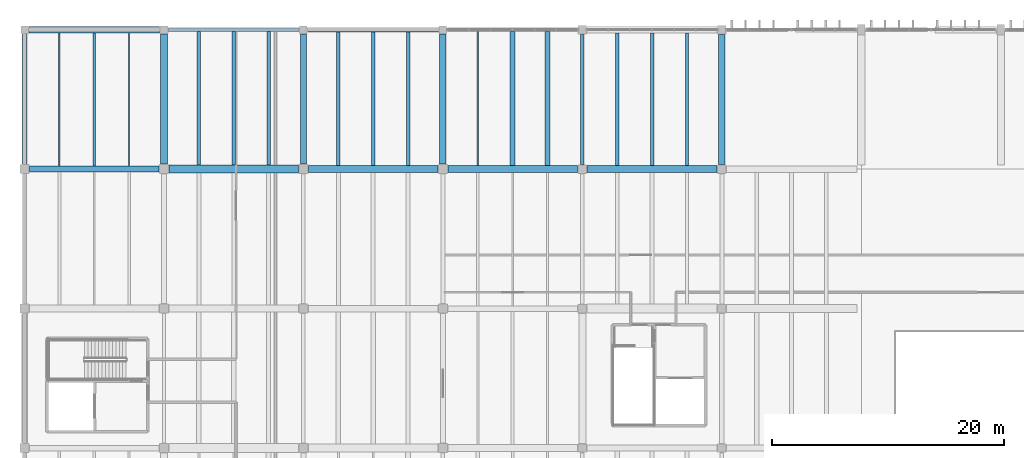
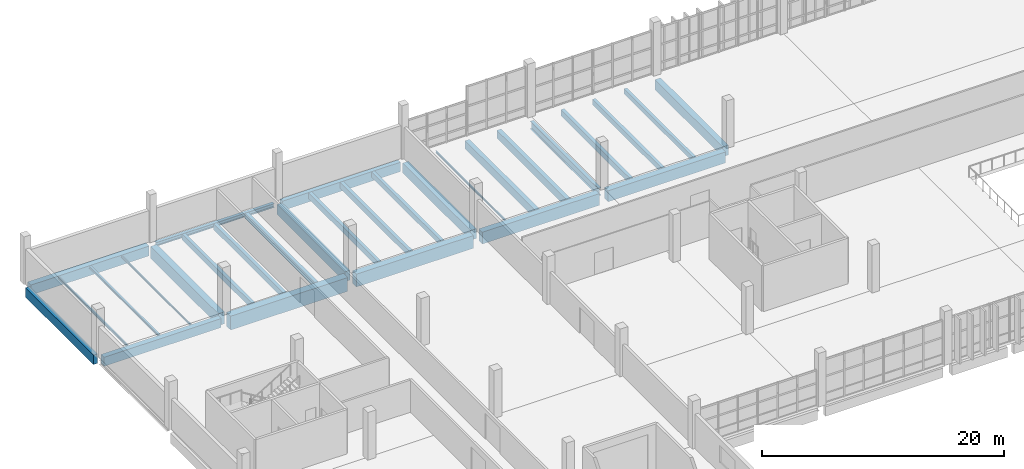
# One storey, part 51 of 112: 29 beams.
"""IFC4 building model written with IfcOpenShell, lengths in metres."""

from ifc_helpers import new_model, si_unit, direction, frame, origin, origin_2d, place, context, subcontext, project, spatial, rectangle, i_section, extrude, material, material_profile, profile_set, type_object, element, save


model = new_model("IFC4")

# Units and contexts
model_context = context("Model", 3, precision=1e-05, world=origin(), true_north=direction((0.0, 1.0)))
body_context = subcontext(model_context, "Body", "Model", "MODEL_VIEW")
ifc_project = project(units=[si_unit("LENGTHUNIT", "METRE"), si_unit("AREAUNIT", "SQUARE_METRE"), si_unit("VOLUMEUNIT", "CUBIC_METRE"), si_unit("PLANEANGLEUNIT", "RADIAN"), si_unit("MASSUNIT", "GRAM", prefix="KILO")], contexts=[model_context])

# Site, building, storey
site_placement = place(None, origin())
site = spatial("IfcSite", under=ifc_project, at=site_placement, CompositionType="ELEMENT")
building_placement = place(site_placement, origin())
building = spatial("IfcBuilding", under=site, at=building_placement, Name="Kamomehara Wholesale Market", CompositionType="ELEMENT")
storey_placement = place(building_placement, frame((0.0, 0.0, 6.60009765625)))
storey = spatial("IfcBuildingStorey", under=building, at=storey_placement, Name="L01", CompositionType="ELEMENT", Elevation=6.60009765625)

# Beams
ifc_material_1 = material(Name="Precast concrete Fc45 (C40/50)", Category="concrete")
ifc_material_profile_1 = material_profile(ifc_material_1, rectangle(XDim=0.5, YDim=1.0, at=origin_2d()), Name="PC-GRD-500x1000")
ifc_profile_set_1 = profile_set([ifc_material_profile_1], Name="Precast concrete Fc45 (C40/50)")
beam_type_1 = type_object("IfcBeamType", Name="BM-PG1000", PredefinedType="T_BEAM", material=ifc_profile_set_1)
beam_1_placement = place(storey_placement, frame((24.0, 144.425048828125, -0.822021484375), z_axis=(0.0, 1.0, 0.0), x_axis=(-1.0, 0.0, 0.0)))
element("IfcBeam", 1, at=beam_1_placement, inside=storey, type_object=beam_type_1, Name="Beam PG-09 L01", PredefinedType="T_BEAM", context=body_context, shape_type="SweptSolid", body=[
    extrude(rectangle(XDim=0.5, YDim=1.0, at=origin_2d()), origin(), (0.0, 0.0, 1.0), 11.199951171875),
])
ifc_material_2 = material(Name="Precast concrete Fc45 (C40/50)", Category="concrete")
ifc_material_profile_2 = material_profile(ifc_material_2, rectangle(XDim=0.60009765625, YDim=1.10009765625, at=origin_2d()), Name="PC-GRD-600x1100")
ifc_profile_set_2 = profile_set([ifc_material_profile_2], Name="Precast concrete Fc45 (C40/50)")
beam_type_2 = type_object("IfcBeamType", Name="BM-PG1100", PredefinedType="T_BEAM", material=ifc_profile_set_2)
beam_2_placement = place(storey_placement, frame((48.409912109375, 144.0, -0.902099609375), z_axis=(1.0, 0.0, 0.0), x_axis=(0.0, 1.0, 0.0)))
element("IfcBeam", 2, at=beam_2_placement, inside=storey, type_object=beam_type_2, Name="Beam PG-07 L01", PredefinedType="T_BEAM", context=body_context, shape_type="SweptSolid", body=[
    extrude(rectangle(XDim=0.60009765625, YDim=1.10009765625, at=origin_2d()), origin(), (0.0, 0.0, 1.0), 11.18017578125),
])
ifc_material_3 = material(Name="Precast concrete Fc45 (C40/50)", Category="concrete")
ifc_material_profile_3 = material_profile(ifc_material_3, rectangle(XDim=0.580078125, YDim=1.179931640625, at=origin_2d()), Name="PC-GRD-580x1180")
ifc_profile_set_3 = profile_set([ifc_material_profile_3], Name="Precast concrete Fc45 (C40/50)")
beam_type_3 = type_object("IfcBeamType", Name="BM-PG1180", PredefinedType="T_BEAM", material=ifc_profile_set_3)
beam_3_placement = place(storey_placement, frame((36.425048828125, 144.0, -0.93212890625), z_axis=(1.0, 0.0, 0.0), x_axis=(0.0, 1.0, 0.0)))
element("IfcBeam", 3, at=beam_3_placement, inside=storey, type_object=beam_type_3, Name="Beam PG-14 L01", PredefinedType="T_BEAM", context=body_context, shape_type="SweptSolid", body=[
    extrude(rectangle(XDim=0.580078125, YDim=1.179931640625, at=origin_2d()), origin(), (0.0, 0.0, 1.0), 11.1650390625),
])
ifc_material_4 = material(Name="Precast concrete Fc45 (C40/50)", Category="concrete")
ifc_material_profile_4 = material_profile(ifc_material_4, rectangle(XDim=0.60009765625, YDim=1.199951171875, at=origin_2d()), Name="PC-GRD-600x1200")
ifc_profile_set_4 = profile_set([ifc_material_profile_4], Name="Precast concrete Fc45 (C40/50)")
beam_type_4 = type_object("IfcBeamType", Name="BM-PG1200", PredefinedType="T_BEAM", material=ifc_profile_set_4)
beam_4_placement = place(storey_placement, frame((12.0, 144.425048828125, -0.922119140625), z_axis=(0.0, 1.0, 0.0), x_axis=(-1.0, 0.0, 0.0)))
element("IfcBeam", 4, at=beam_4_placement, inside=storey, type_object=beam_type_4, Name="Beam PG-05 L01", PredefinedType="T_BEAM", context=body_context, shape_type="SweptSolid", body=[
    extrude(rectangle(XDim=0.60009765625, YDim=1.199951171875, at=origin_2d()), origin(), (0.0, 0.0, 1.0), 11.199951171875),
])
ifc_material_5 = material(Name="Precast concrete Fc45 (C40/50)", Category="concrete")
ifc_material_profile_5 = material_profile(ifc_material_5, rectangle(XDim=0.6201171875, YDim=1.280029296875, at=origin_2d()), Name="PC-GRD-620x1280")
ifc_profile_set_5 = profile_set([ifc_material_profile_5], Name="Precast concrete Fc45 (C40/50)")
beam_type_5 = type_object("IfcBeamType", Name="BM-PG1280", PredefinedType="T_BEAM", material=ifc_profile_set_5)
beam_5_placement = place(storey_placement, frame((24.425048828125, 144.0, -0.9921875), z_axis=(1.0, 0.0, 0.0), x_axis=(0.0, 1.0, 0.0)))
element("IfcBeam", 5, at=beam_5_placement, inside=storey, type_object=beam_type_5, Name="Beam PG-13 L01", PredefinedType="T_BEAM", context=body_context, shape_type="SweptSolid", body=[
    extrude(rectangle(XDim=0.6201171875, YDim=1.280029296875, at=origin_2d()), origin(), (0.0, 0.0, 1.0), 11.14990234375),
])
ifc_material_6 = material(Name="Precast concrete Fc45 (C40/50)", Category="concrete")
ifc_material_profile_6 = material_profile(ifc_material_6, rectangle(XDim=0.699951171875, YDim=1.39990234375, at=origin_2d()), Name="PC-GRD-700x1400")
ifc_profile_set_6 = profile_set([ifc_material_profile_6], Name="Precast concrete Fc45 (C40/50)")
beam_type_6 = type_object("IfcBeamType", Name="BM-PG1400", PredefinedType="T_BEAM", material=ifc_profile_set_6)
beam_6_placement = place(storey_placement, frame((12.425048828125, 144.0, -1.052001953125), z_axis=(1.0, 0.0, 0.0), x_axis=(0.0, 1.0, 0.0)))
element("IfcBeam", 6, at=beam_6_placement, inside=storey, type_object=beam_type_6, Name="Beam PG-02 L01", PredefinedType="T_BEAM", context=body_context, shape_type="SweptSolid", body=[
    extrude(rectangle(XDim=0.699951171875, YDim=1.39990234375, at=origin_2d()), origin(), (0.0, 0.0, 1.0), 11.14990234375),
])
ifc_material_7 = material(Name="Precast concrete Fc45 (C40/50)", Category="concrete")
ifc_material_profile_7 = material_profile(ifc_material_7, rectangle(XDim=0.5, YDim=0.89990234375, at=origin_2d()), Name="PC-GRD-500x900")
ifc_profile_set_7 = profile_set([ifc_material_profile_7], Name="Precast concrete Fc45 (C40/50)")
beam_type_7 = type_object("IfcBeamType", Name="BM-PG900", PredefinedType="T_BEAM", material=ifc_profile_set_7)
beam_7_placement = place(storey_placement, frame((0.425048828125, 144.0, -0.802001953125), z_axis=(1.0, 0.0, 0.0), x_axis=(0.0, 1.0, 0.0)))
element("IfcBeam", 7, at=beam_7_placement, inside=storey, type_object=beam_type_7, Name="Beam PG-10 L01", PredefinedType="T_BEAM", context=body_context, shape_type="SweptSolid", body=[
    extrude(rectangle(XDim=0.5, YDim=0.89990234375, at=origin_2d()), origin(), (0.0, 0.0, 1.0), 11.14990234375),
])
ifc_material_8 = material(Name="Precast concrete Fc45 (C40/50)", Category="concrete")
ifc_material_profile_8 = material_profile(ifc_material_8, rectangle(XDim=0.280029296875, YDim=0.5, at=origin_2d()), Name="PC-JST-280x500")
ifc_profile_set_8 = profile_set([ifc_material_profile_8], Name="Precast concrete Fc45 (C40/50)")
beam_type_8 = type_object("IfcBeamType", Name="BM-PJ500", PredefinedType="JOIST", material=ifc_profile_set_8)
beam_8_placement = place(storey_placement, frame((57.0, 144.300048828125, -0.572021484375), z_axis=(0.0, 1.0, 0.0), x_axis=(-1.0, 0.0, 0.0)))
element("IfcBeam", 8, at=beam_8_placement, inside=storey, type_object=beam_type_8, Name="Beam PJ-11 L01", PredefinedType="JOIST", context=body_context, shape_type="SweptSolid", body=[
    extrude(rectangle(XDim=0.280029296875, YDim=0.5, at=origin_2d()), origin(), (0.0, 0.0, 1.0), 11.425048828125),
])
ifc_material_9 = material(Name="Precast concrete Fc45 (C40/50)", Category="concrete")
ifc_material_profile_9 = material_profile(ifc_material_9, rectangle(XDim=0.300048828125, YDim=0.550048828125, at=origin_2d()), Name="PC-JST-300x550")
ifc_profile_set_9 = profile_set([ifc_material_profile_9], Name="Precast concrete Fc45 (C40/50)")
beam_type_9 = type_object("IfcBeamType", Name="BM-PJ550", PredefinedType="JOIST", material=ifc_profile_set_9)
beam_9_placement = place(storey_placement, frame((21.0, 144.35009765625, -0.59716796875), z_axis=(0.0, 1.0, 0.0), x_axis=(-1.0, 0.0, 0.0)))
element("IfcBeam", 9, at=beam_9_placement, inside=storey, type_object=beam_type_9, Name="Beam PJ-06 L01", PredefinedType="JOIST", context=body_context, shape_type="SweptSolid", body=[
    extrude(rectangle(XDim=0.300048828125, YDim=0.550048828125, at=origin_2d()), origin(), (0.0, 0.0, 1.0), 11.5),
])
beam_10_placement = place(storey_placement, frame((33.0, 144.31005859375, -0.59716796875), z_axis=(0.0, 1.0, 0.0), x_axis=(-1.0, 0.0, 0.0)))
element("IfcBeam", 10, at=beam_10_placement, inside=storey, type_object=beam_type_9, Name="Beam PJ-06 L01", PredefinedType="JOIST", context=body_context, shape_type="SweptSolid", body=[
    extrude(rectangle(XDim=0.300048828125, YDim=0.550048828125, at=origin_2d()), origin(), (0.0, 0.0, 1.0), 11.489990234375),
])
beam_11_placement = place(storey_placement, frame((54.0, 144.300048828125, -0.59716796875), z_axis=(0.0, 1.0, 0.0), x_axis=(-1.0, 0.0, 0.0)))
element("IfcBeam", 11, at=beam_11_placement, inside=storey, type_object=beam_type_9, Name="Beam PJ-06 L01", PredefinedType="JOIST", context=body_context, shape_type="SweptSolid", body=[
    extrude(rectangle(XDim=0.300048828125, YDim=0.550048828125, at=origin_2d()), origin(), (0.0, 0.0, 1.0), 11.425048828125),
])
ifc_material_10 = material(Name="Precast concrete Fc45 (C40/50)", Category="concrete")
ifc_material_profile_10 = material_profile(ifc_material_10, rectangle(XDim=0.320068359375, YDim=0.60009765625, at=origin_2d()), Name="PC-JST-320x600")
ifc_profile_set_10 = profile_set([ifc_material_profile_10], Name="Precast concrete Fc45 (C40/50)")
beam_type_10 = type_object("IfcBeamType", Name="BM-PJ600", PredefinedType="JOIST", material=ifc_profile_set_10)
beam_12_placement = place(storey_placement, frame((18.0, 144.35009765625, -0.6220703125), z_axis=(0.0, 1.0, 0.0), x_axis=(-1.0, 0.0, 0.0)))
element("IfcBeam", 12, at=beam_12_placement, inside=storey, type_object=beam_type_10, Name="Beam PJ-05 L01", PredefinedType="JOIST", context=body_context, shape_type="SweptSolid", body=[
    extrude(rectangle(XDim=0.320068359375, YDim=0.60009765625, at=origin_2d()), origin(), (0.0, 0.0, 1.0), 11.5),
])
beam_13_placement = place(storey_placement, frame((30.0, 144.31005859375, -0.6220703125), z_axis=(0.0, 1.0, 0.0), x_axis=(-1.0, 0.0, 0.0)))
element("IfcBeam", 13, at=beam_13_placement, inside=storey, type_object=beam_type_10, Name="Beam PJ-05 L01", PredefinedType="JOIST", context=body_context, shape_type="SweptSolid", body=[
    extrude(rectangle(XDim=0.320068359375, YDim=0.60009765625, at=origin_2d()), origin(), (0.0, 0.0, 1.0), 11.489990234375),
])
beam_14_placement = place(storey_placement, frame((51.0, 144.300048828125, -0.6220703125), z_axis=(0.0, 1.0, 0.0), x_axis=(-1.0, 0.0, 0.0)))
element("IfcBeam", 14, at=beam_14_placement, inside=storey, type_object=beam_type_10, Name="Beam PJ-05 L01", PredefinedType="JOIST", context=body_context, shape_type="SweptSolid", body=[
    extrude(rectangle(XDim=0.320068359375, YDim=0.60009765625, at=origin_2d()), origin(), (0.0, 0.0, 1.0), 11.425048828125),
])
ifc_material_11 = material(Name="Precast concrete Fc45 (C40/50)", Category="concrete")
ifc_material_profile_11 = material_profile(ifc_material_11, rectangle(XDim=0.300048828125, YDim=0.60009765625, at=origin_2d()), Name="PC-JST-300x600")
ifc_profile_set_11 = profile_set([ifc_material_profile_11], Name="Precast concrete Fc45 (C40/50)")
beam_type_11 = type_object("IfcBeamType", Name="BM-PJ600B", PredefinedType="JOIST", material=ifc_profile_set_11)
beam_15_placement = place(storey_placement, frame((15.0, 144.35009765625, -0.6220703125), z_axis=(0.0, 1.0, 0.0), x_axis=(-1.0, 0.0, 0.0)))
element("IfcBeam", 15, at=beam_15_placement, inside=storey, type_object=beam_type_11, Name="Beam PJ-10 L01", PredefinedType="JOIST", context=body_context, shape_type="SweptSolid", body=[
    extrude(rectangle(XDim=0.300048828125, YDim=0.60009765625, at=origin_2d()), origin(), (0.0, 0.0, 1.0), 11.5),
])
beam_16_placement = place(storey_placement, frame((27.0, 144.31005859375, -0.6220703125), z_axis=(0.0, 1.0, 0.0), x_axis=(-1.0, 0.0, 0.0)))
element("IfcBeam", 16, at=beam_16_placement, inside=storey, type_object=beam_type_11, Name="Beam PJ-10 L01", PredefinedType="JOIST", context=body_context, shape_type="SweptSolid", body=[
    extrude(rectangle(XDim=0.300048828125, YDim=0.60009765625, at=origin_2d()), origin(), (0.0, 0.0, 1.0), 11.489990234375),
])
ifc_material_12 = material(Name="Precast concrete Fc45 (C40/50)", Category="concrete")
ifc_material_profile_12 = material_profile(ifc_material_12, rectangle(XDim=0.39990234375, YDim=0.800048828125, at=origin_2d()), Name="PC-JST-400x800")
ifc_profile_set_12 = profile_set([ifc_material_profile_12], Name="Precast concrete Fc45 (C40/50)")
beam_type_12 = type_object("IfcBeamType", Name="BM-PJ800", PredefinedType="JOIST", material=ifc_profile_set_12)
beam_17_placement = place(storey_placement, frame((45.0, 144.2900390625, -0.7421875), z_axis=(0.0, 1.0, 0.0), x_axis=(-1.0, 0.0, 0.0)))
element("IfcBeam", 17, at=beam_17_placement, inside=storey, type_object=beam_type_12, Name="Beam PJ-01 L01", PredefinedType="JOIST", context=body_context, shape_type="SweptSolid", body=[
    extrude(rectangle(XDim=0.39990234375, YDim=0.800048828125, at=origin_2d()), origin(), (0.0, 0.0, 1.0), 11.534912109375),
])
ifc_material_13 = material(Name="Precast concrete Fc45 (C40/50)", Category="concrete")
ifc_material_profile_13 = material_profile(ifc_material_13, rectangle(XDim=0.419921875, YDim=0.840087890625, at=origin_2d()), Name="PC-JST-420x840")
ifc_profile_set_13 = profile_set([ifc_material_profile_13], Name="Precast concrete Fc45 (C40/50)")
beam_type_13 = type_object("IfcBeamType", Name="BM-PJ840", PredefinedType="JOIST", material=ifc_profile_set_13)
beam_18_placement = place(storey_placement, frame((42.0, 144.2900390625, -0.76220703125), z_axis=(0.0, 1.0, 0.0), x_axis=(-1.0, 0.0, 0.0)))
element("IfcBeam", 18, at=beam_18_placement, inside=storey, type_object=beam_type_13, Name="Beam PJ-07 L01", PredefinedType="JOIST", context=body_context, shape_type="SweptSolid", body=[
    extrude(rectangle(XDim=0.419921875, YDim=0.840087890625, at=origin_2d()), origin(), (0.0, 0.0, 1.0), 11.534912109375),
])
ifc_material_14 = material(Name="Concrete Fc36 (C35/45)", Category="concrete")
ifc_material_profile_14 = material_profile(ifc_material_14, rectangle(XDim=0.550048828125, YDim=1.0, at=origin_2d()), Name="RC-SEB-550x1000")
ifc_profile_set_14 = profile_set([ifc_material_profile_14], Name="Concrete Fc36 (C35/45)")
beam_type_14 = type_object("IfcBeamType", Name="BM-SEB1000-EXT", PredefinedType="SPANDREL", material=ifc_profile_set_14)
beam_19_placement = place(storey_placement, frame((36.0, 144.425048828125, -0.842041015625), z_axis=(0.0, 1.0, 0.0), x_axis=(-1.0, 0.0, 0.0)))
element("IfcBeam", 19, at=beam_19_placement, inside=storey, type_object=beam_type_14, Name="Beam SEB-03E L01", PredefinedType="SPANDREL", context=body_context, shape_type="SweptSolid", body=[
    extrude(rectangle(XDim=0.550048828125, YDim=1.0, at=origin_2d()), origin(), (0.0, 0.0, 1.0), 11.199951171875),
])
beam_20_placement = place(storey_placement, frame((60.0, 144.409912109375, -0.822021484375), z_axis=(0.0, 1.0, 0.0), x_axis=(-1.0, 0.0, 0.0)))
element("IfcBeam", 20, at=beam_20_placement, inside=storey, type_object=beam_type_14, Name="Beam SEB-03E L01", PredefinedType="SPANDREL", context=body_context, shape_type="SweptSolid", body=[
    extrude(rectangle(XDim=0.550048828125, YDim=1.0, at=origin_2d()), origin(), (0.0, 0.0, 1.0), 11.18017578125),
])
beam_21_placement = place(storey_placement, frame((0.375, 156.0, -0.822021484375), z_axis=(1.0, 0.0, 0.0), x_axis=(0.0, 1.0, 0.0)))
element("IfcBeam", 21, at=beam_21_placement, inside=storey, type_object=beam_type_14, Name="Beam SEB-03E L01", PredefinedType="SPANDREL", context=body_context, shape_type="SweptSolid", body=[
    extrude(rectangle(XDim=0.550048828125, YDim=1.0, at=origin_2d()), origin(), (0.0, 0.0, 1.0), 11.25),
])
ifc_material_15 = material(Name="Precast concrete Fc45 (C40/50)", Category="concrete")
ifc_material_profile_15 = material_profile(ifc_material_15, rectangle(XDim=0.39990234375, YDim=0.949951171875, at=origin_2d()), Name="PC-SPN-400x950")
ifc_profile_set_15 = profile_set([ifc_material_profile_15], Name="Precast concrete Fc45 (C40/50)")
beam_type_15 = type_object("IfcBeamType", Name="BM-SPN950-EXT", PredefinedType="SPANDREL", material=ifc_profile_set_15)
beam_22_placement = place(storey_placement, frame((0.0, 144.425048828125, -0.797119140625), z_axis=(0.0, 1.0, 0.0), x_axis=(-1.0, 0.0, 0.0)))
element("IfcBeam", 22, at=beam_22_placement, inside=storey, type_object=beam_type_15, Name="Beam SPN-01E L01", PredefinedType="SPANDREL", context=body_context, shape_type="SweptSolid", body=[
    extrude(rectangle(XDim=0.39990234375, YDim=0.949951171875, at=origin_2d()), origin(), (0.0, 0.0, 1.0), 11.199951171875),
])
beam_23_placement = place(storey_placement, frame((24.375, 156.0, -0.797119140625), z_axis=(1.0, 0.0, 0.0), x_axis=(0.0, 1.0, 0.0)))
element("IfcBeam", 23, at=beam_23_placement, inside=storey, type_object=beam_type_15, Name="Beam SPN-01E L01", PredefinedType="SPANDREL", context=body_context, shape_type="SweptSolid", body=[
    extrude(rectangle(XDim=0.39990234375, YDim=0.949951171875, at=origin_2d()), origin(), (0.0, 0.0, 1.0), 11.25),
])
ifc_material_16 = material(Name="Steel SN400B", Category="steel")
ifc_material_profile_16 = material_profile(ifc_material_16, i_section(OverallWidth=0.10009765625, OverallDepth=0.199951171875, WebThickness=0.005615234375, FlangeThickness=0.008056640625, FilletRadius=0.008056640625, at=origin_2d()), Name="H-200x100x5.5x8")
ifc_profile_set_16 = profile_set([ifc_material_profile_16], Name="Steel SN400B")
beam_type_16 = type_object("IfcBeamType", Name="BM-ST-H200", PredefinedType="LINTEL", material=ifc_profile_set_16)
beam_24_placement = place(storey_placement, frame((9.0, 144.25, -0.422119140625), z_axis=(0.0, 1.0, 0.0), x_axis=(-1.0, 0.0, 0.0)))
element("IfcBeam", 24, at=beam_24_placement, inside=storey, type_object=beam_type_16, Name="Beam SJ-07 L01", PredefinedType="LINTEL", context=body_context, shape_type="SweptSolid", body=[
    extrude(i_section(OverallWidth=0.10009765625, OverallDepth=0.199951171875, WebThickness=0.005615234375, FlangeThickness=0.008056640625, FilletRadius=0.008056640625, at=origin_2d()), origin(), (0.0, 0.0, 1.0), 11.47509765625),
])
beam_25_placement = place(storey_placement, frame((39.0, 144.2900390625, -0.442138671875), z_axis=(0.0, 1.0, 0.0), x_axis=(-1.0, 0.0, 0.0)))
element("IfcBeam", 25, at=beam_25_placement, inside=storey, type_object=beam_type_16, Name="Beam SJ-07 L01", PredefinedType="LINTEL", context=body_context, shape_type="SweptSolid", body=[
    extrude(i_section(OverallWidth=0.10009765625, OverallDepth=0.199951171875, WebThickness=0.005615234375, FlangeThickness=0.008056640625, FilletRadius=0.008056640625, at=origin_2d()), origin(), (0.0, 0.0, 1.0), 11.534912109375),
])
ifc_material_17 = material(Name="Steel SN400B", Category="steel")
ifc_material_profile_17 = material_profile(ifc_material_17, i_section(OverallWidth=0.175048828125, OverallDepth=0.243896484375, WebThickness=0.007080078125, FlangeThickness=0.010986328125, FilletRadius=0.010986328125, at=origin_2d()), Name="H-244x175x7x11")
ifc_profile_set_17 = profile_set([ifc_material_profile_17], Name="Steel SN400B")
beam_type_17 = type_object("IfcBeamType", Name="BM-ST-H244", PredefinedType="JOIST", material=ifc_profile_set_17)
beam_26_placement = place(storey_placement, frame((6.0, 144.25, -0.444091796875), z_axis=(0.0, 1.0, 0.0), x_axis=(-1.0, 0.0, 0.0)))
element("IfcBeam", 26, at=beam_26_placement, inside=storey, type_object=beam_type_17, Name="Beam SJ-10 L01", PredefinedType="JOIST", context=body_context, shape_type="SweptSolid", body=[
    extrude(i_section(OverallWidth=0.175048828125, OverallDepth=0.243896484375, WebThickness=0.007080078125, FlangeThickness=0.010986328125, FilletRadius=0.010986328125, at=origin_2d()), origin(), (0.0, 0.0, 1.0), 11.47509765625),
])
ifc_material_18 = material(Name="Steel SN400B", Category="steel")
ifc_material_profile_18 = material_profile(ifc_material_18, i_section(OverallWidth=0.125, OverallDepth=0.25, WebThickness=0.006103515625, FlangeThickness=0.009033203125, FilletRadius=0.008056640625, at=origin_2d()), Name="H-250x125x6x9")
ifc_profile_set_18 = profile_set([ifc_material_profile_18], Name="Steel SN400B")
beam_type_18 = type_object("IfcBeamType", Name="BM-ST-H250", PredefinedType="JOIST", material=ifc_profile_set_18)
beam_27_placement = place(storey_placement, frame((3.0, 144.25, -0.447021484375), z_axis=(0.0, 1.0, 0.0), x_axis=(-1.0, 0.0, 0.0)))
element("IfcBeam", 27, at=beam_27_placement, inside=storey, type_object=beam_type_18, Name="Beam SJ-06 L01", PredefinedType="JOIST", context=body_context, shape_type="SweptSolid", body=[
    extrude(i_section(OverallWidth=0.125, OverallDepth=0.25, WebThickness=0.006103515625, FlangeThickness=0.009033203125, FilletRadius=0.008056640625, at=origin_2d()), origin(), (0.0, 0.0, 1.0), 11.47509765625),
])
ifc_material_19 = material(Name="Steel SN490B", Category="steel")
ifc_material_profile_19 = material_profile(ifc_material_19, i_section(OverallWidth=0.300048828125, OverallDepth=0.389892578125, WebThickness=0.010009765625, FlangeThickness=0.01611328125, FilletRadius=0.01806640625, at=origin_2d()), Name="H-390x300x10x16")
ifc_profile_set_19 = profile_set([ifc_material_profile_19], Name="Steel SN490B")
beam_type_19 = type_object("IfcBeamType", Name="BM-ST-H390-EXT", PredefinedType="SPANDREL", material=ifc_profile_set_19)
beam_28_placement = place(storey_placement, frame((12.375, 156.0, -0.51708984375), z_axis=(1.0, 0.0, 0.0), x_axis=(0.0, 1.0, 0.0)))
element("IfcBeam", 28, at=beam_28_placement, inside=storey, type_object=beam_type_19, Name="Beam SJ-03E L01", PredefinedType="SPANDREL", context=body_context, shape_type="SweptSolid", body=[
    extrude(i_section(OverallWidth=0.300048828125, OverallDepth=0.389892578125, WebThickness=0.010009765625, FlangeThickness=0.01611328125, FilletRadius=0.01806640625, at=origin_2d()), origin(), (0.0, 0.0, 1.0), 11.25),
])
ifc_material_20 = material(Name="Steel SN490B", Category="steel")
ifc_material_profile_20 = material_profile(ifc_material_20, i_section(OverallWidth=0.300048828125, OverallDepth=0.7919921875, WebThickness=0.013916015625, FlangeThickness=0.02197265625, FilletRadius=0.02392578125, at=origin_2d()), Name="H-792x300x14x22")
ifc_profile_set_20 = profile_set([ifc_material_profile_20], Name="Steel SN490B")
beam_type_20 = type_object("IfcBeamType", Name="BM-ST-H792", PredefinedType="BEAM", material=ifc_profile_set_20)
beam_29_placement = place(storey_placement, frame((48.0, 144.409912109375, -0.738037109375), z_axis=(0.0, 1.0, 0.0), x_axis=(-1.0, 0.0, 0.0)))
element("IfcBeam", 29, at=beam_29_placement, inside=storey, type_object=beam_type_20, Name="Beam SG-09 L01", PredefinedType="BEAM", context=body_context, shape_type="SweptSolid", body=[
    extrude(i_section(OverallWidth=0.300048828125, OverallDepth=0.7919921875, WebThickness=0.013916015625, FlangeThickness=0.02197265625, FilletRadius=0.02392578125, at=origin_2d()), origin(), (0.0, 0.0, 1.0), 11.18017578125),
])

save(model, "model.ifc")
